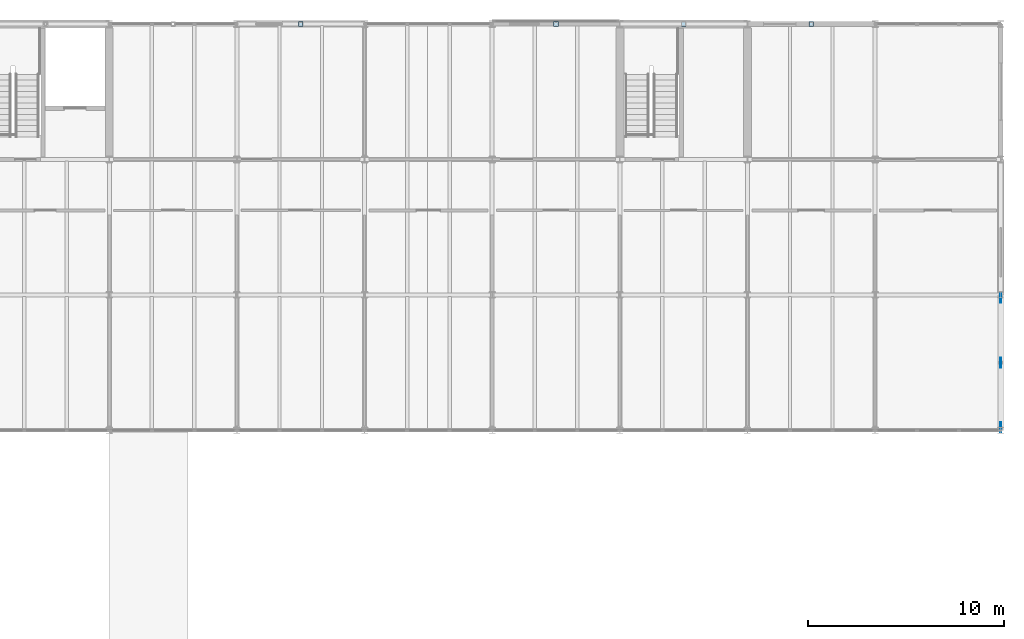
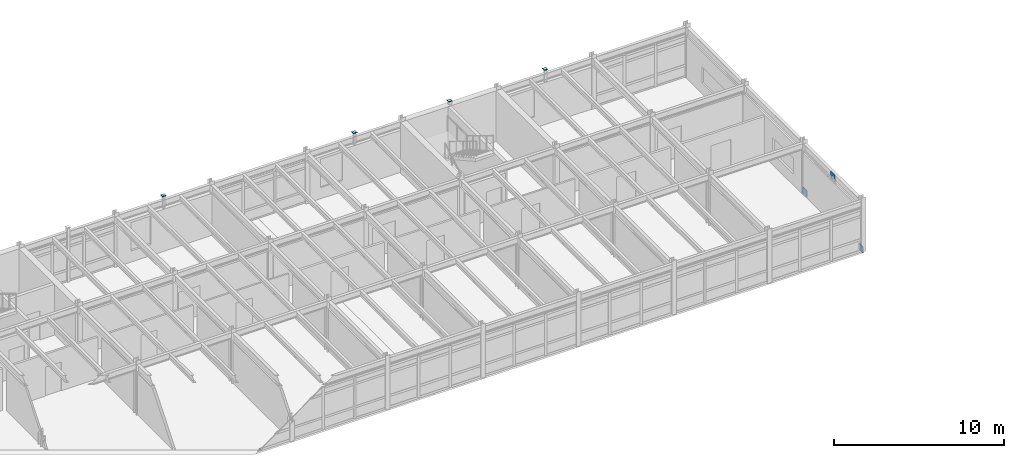
# One storey, part 36 of 49: 7 plates.
"""IFC4 building model written with IfcOpenShell, lengths in metres."""

from ifc_helpers import new_model, si_unit, direction, frame, origin, origin_2d, place, context, subcontext, project, spatial, rectangle, extrude, material, layer, layer_set, type_object, element, save


model = new_model("IFC4")

# Units and contexts
model_context = context("Model", 3, precision=1e-05, world=origin(), true_north=direction((0.0, 1.0)))
body_context = subcontext(model_context, "Body", "Model", "MODEL_VIEW")
ifc_project = project(units=[si_unit("LENGTHUNIT", "METRE"), si_unit("AREAUNIT", "SQUARE_METRE"), si_unit("VOLUMEUNIT", "CUBIC_METRE"), si_unit("PLANEANGLEUNIT", "RADIAN"), si_unit("MASSUNIT", "GRAM", prefix="KILO")], contexts=[model_context])

# Site, building, storey
site_placement = place(None, origin())
site = spatial("IfcSite", under=ifc_project, at=site_placement, CompositionType="ELEMENT")
building_placement = place(site_placement, origin())
building = spatial("IfcBuilding", under=site, at=building_placement, Name="Trelmorton Wharf Fire Station", CompositionType="ELEMENT")
storey_placement = place(building_placement, frame((0.0, 0.0, 9.60009765625)))
storey = spatial("IfcBuildingStorey", under=building, at=storey_placement, Name="L02", CompositionType="ELEMENT", Elevation=9.60009765625)

# Plates
ifc_material = material(Name="Steel Grade 350", Category="steel")
ifc_layer_1 = layer(ifc_material, 0.011962890625)
ifc_layer_set_1 = layer_set([ifc_layer_1], Name="Steel Grade 350")
plate_type_1 = type_object("IfcPlateType", Name="PL_ENDCAP_12", PredefinedType="SHEET", material=ifc_layer_set_1)
for number, where, z_axis, x_axis, name in (
    (1, (126.75, 81.0, 3.89794921875), (0.0, 0.0, 1.0), (1.0, 0.0, 0.0), "PL-PILCAP-T-019"),
    (2, (139.75, 81.0, 3.89794921875), (0.0, 0.0, 1.0), (1.0, 0.0, 0.0), "PL-PILCAP-T-027"),
    (3, (146.25, 81.0, 3.89794921875), (0.0, 0.0, 1.0), (1.0, 0.0, 0.0), "PL-PILCAP-T-035"),
    (4, (152.75, 81.0, 3.89794921875), (0.0, 0.0, 1.0), (1.0, 0.0, 0.0), "PL-PILCAP-T-038"),
):
    element("IfcPlate", number, at=place(storey_placement, frame(where, z_axis=z_axis, x_axis=x_axis)), inside=storey, type_object=plate_type_1, Name=name, PredefinedType="SHEET", context=body_context, shape_type="SweptSolid", body=[
        extrude(rectangle(XDim=0.239990234375, YDim=0.239990234375, at=origin_2d()), origin(), (0.0, 0.0, 1.0), 0.02001953125),
    ])
ifc_layer_2 = layer(ifc_material, 0.050048828125)
ifc_layer_set_2 = layer_set([ifc_layer_2], Name="Steel Grade 350")
plate_type_2 = type_object("IfcPlateType", Name="PL_GUSSET_TN2", PredefinedType="USERDEFINED", material=ifc_layer_set_2)
for number, where, z_axis, x_axis, name in (
    (5, (162.39990234375, 60.45458984375, -0.10498046875), (0.0, 0.0, 1.0), (1.0, 0.0, 0.0), "PL-CBF-0457"),
    (6, (162.39990234375, 67.04541015625, -0.10498046875), (0.0, 0.0, 1.0), (1.0, 0.0, 0.0), "PL-CBF-0458"),
    (7, (162.39990234375, 63.75, 3.0546875), (0.0, 0.0, 1.0), (1.0, 0.0, 0.0), "PL-CBF-0459"),
):
    element("IfcPlate", number, at=place(storey_placement, frame(where, z_axis=z_axis, x_axis=x_axis)), inside=storey, type_object=plate_type_2, Name=name, ObjectType="GUSSET PLATE", PredefinedType="USERDEFINED", context=body_context, shape_type="SweptSolid", body=[
        extrude(rectangle(XDim=0.050048828125, YDim=0.5, at=origin_2d()), origin(), (0.0, 0.0, 1.0), 0.449951171875),
    ])

save(model, "model.ifc")
